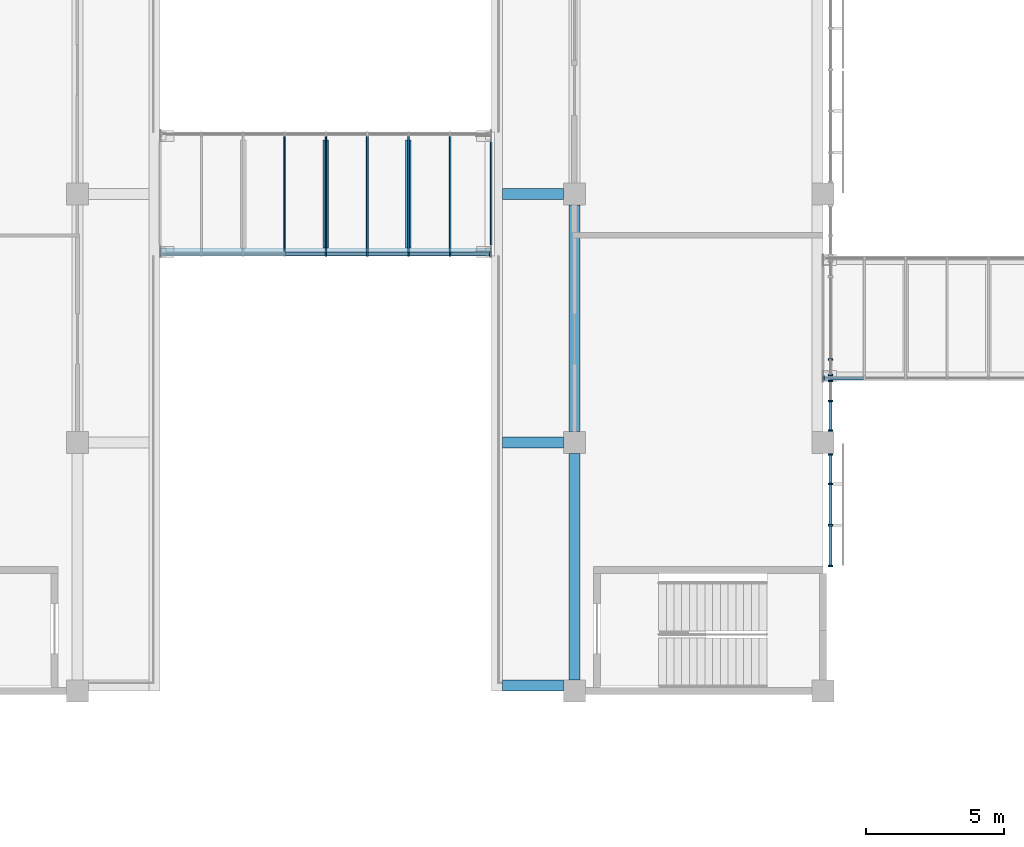
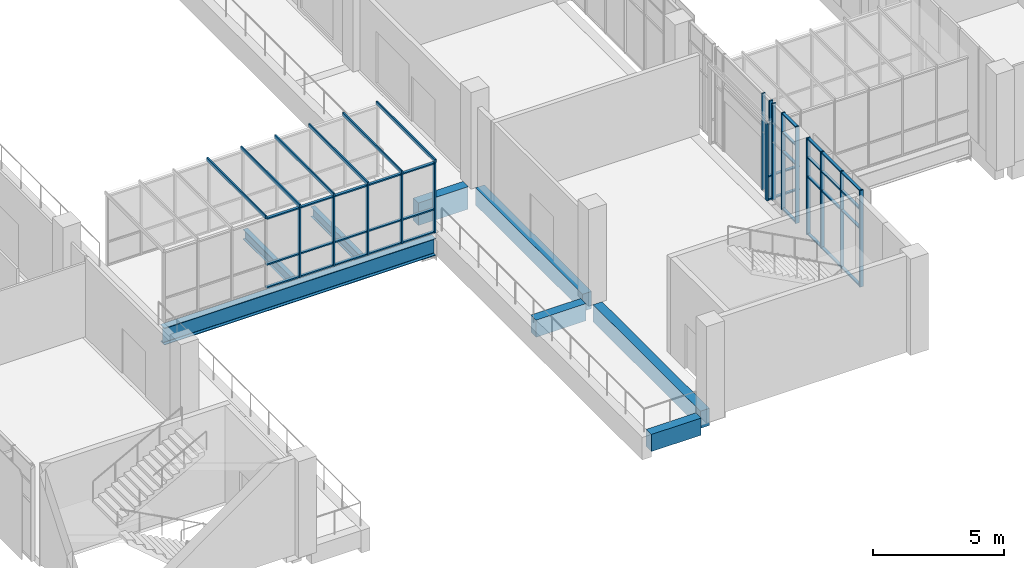
# One storey, part 9 of 88: 54 members, 8 beams, 6 elements without a shape of their own.
"""IFC4 building model written with IfcOpenShell, lengths in metres."""

from ifc_helpers import new_model, si_unit, direction, frame, origin, origin_2d, place, context, subcontext, project, spatial, rectangle, i_section, extrude, material, layer, layer_set, material_profile, profile_set, type_object, element, aggregate, save


model = new_model("IFC4")

# Units and contexts
model_context = context("Model", 3, precision=1e-05, world=origin(), true_north=direction((0.0, 1.0)))
body_context = subcontext(model_context, "Body", "Model", "MODEL_VIEW")
ifc_project = project(units=[si_unit("LENGTHUNIT", "METRE"), si_unit("AREAUNIT", "SQUARE_METRE"), si_unit("VOLUMEUNIT", "CUBIC_METRE"), si_unit("PLANEANGLEUNIT", "RADIAN"), si_unit("MASSUNIT", "GRAM", prefix="KILO")], contexts=[model_context])

# Site, building, storey
site_placement = place(None, origin())
site = spatial("IfcSite", under=ifc_project, at=site_placement, CompositionType="ELEMENT")
building_placement = place(site_placement, origin())
building = spatial("IfcBuilding", under=site, at=building_placement, Name="Guidao Yard Department Store", CompositionType="ELEMENT")
storey_placement = place(building_placement, frame((0.0, 0.0, 6.0)))
storey = spatial("IfcBuildingStorey", under=building, at=storey_placement, Name="L01", CompositionType="ELEMENT", Elevation=6.0)

# Beams
ifc_material_1 = material(Name="Concrete C40", Category="concrete")
ifc_material_profile_1 = material_profile(ifc_material_1, rectangle(XDim=0.39990234375, YDim=1.050048828125, at=origin_2d()), Name="Bridge landing beam 400 x 1050 C40")
ifc_profile_set_1 = profile_set([ifc_material_profile_1], Name="Concrete C40")
beam_type_1 = type_object("IfcBeamType", Name="Bridge landing beam 400 x 1050 C40", PredefinedType="BEAM", material=ifc_profile_set_1)
beam_1_placement = place(storey_placement, frame((96.39990234375, 63.0, -0.52490234375), z_axis=(1.0, 0.0, 0.0), x_axis=(0.0, 1.0, 0.0)))
element("IfcBeam", 1, at=beam_1_placement, inside=storey, type_object=beam_type_1, Name="Beam LB10", PredefinedType="BEAM", context=body_context, shape_type="SweptSolid", body=[
    extrude(rectangle(XDim=0.39990234375, YDim=1.050048828125, at=origin_2d()), origin(), (0.0, 0.0, 1.0), 2.2001953125),
])
ifc_material_2 = material(Name="Concrete C40", Category="concrete")
ifc_material_profile_2 = material_profile(ifc_material_2, rectangle(XDim=0.39990234375, YDim=0.800048828125, at=origin_2d()), Name="Edge beam 400 x 800 C40")
ifc_profile_set_2 = profile_set([ifc_material_profile_2], Name="Concrete C40")
beam_type_2 = type_object("IfcBeamType", Name="Edge beam 400 x 800 C40", PredefinedType="BEAM", material=ifc_profile_set_2)
for number, where, z_axis, x_axis, name in (
    (2, (99.0, 45.39990234375, -0.39990234375), (0.0, 1.0, 0.0), (-1.0, 0.0, 0.0), "Beam EB48"),
    (3, (99.0, 54.39990234375, -0.39990234375), (0.0, 1.0, 0.0), (-1.0, 0.0, 0.0), "Beam EB49"),
):
    element("IfcBeam", number, at=place(storey_placement, frame(where, z_axis=z_axis, x_axis=x_axis)), inside=storey, type_object=beam_type_2, Name=name, PredefinedType="BEAM", context=body_context, shape_type="SweptSolid", body=[
        extrude(rectangle(XDim=0.39990234375, YDim=0.800048828125, at=origin_2d()), origin(), (0.0, 0.0, 1.0), 8.2001953125),
    ])
for number, where, z_axis, x_axis, name in (
    (4, (96.39990234375, 45.199951171875, -0.39990234375), (1.0, 0.0, 0.0), (0.0, 1.0, 0.0), "Beam EB55"),
    (5, (96.39990234375, 54.0, -0.39990234375), (1.0, 0.0, 0.0), (0.0, 1.0, 0.0), "Beam EB56"),
):
    element("IfcBeam", number, at=place(storey_placement, frame(where, z_axis=z_axis, x_axis=x_axis)), inside=storey, type_object=beam_type_2, Name=name, PredefinedType="BEAM", context=body_context, shape_type="SweptSolid", body=[
        extrude(rectangle(XDim=0.39990234375, YDim=0.800048828125, at=origin_2d()), origin(), (0.0, 0.0, 1.0), 2.2001953125),
    ])
ifc_material_3 = material(Name="Steel Q355B", Category="steel")
ifc_material_profile_3 = material_profile(ifc_material_3, i_section(OverallWidth=0.199951171875, OverallDepth=0.449951171875, WebThickness=0.009033203125, FlangeThickness=0.013916015625, FilletRadius=0.012939453125, at=origin_2d()), Name="HN 450x200x9x14")
ifc_profile_set_3 = profile_set([ifc_material_profile_3], Name="Steel Q355B")
beam_type_3 = type_object("IfcBeamType", Name="HN 450x200x9x14", PredefinedType="BEAM", material=ifc_profile_set_3)
for number, where, z_axis, x_axis, name in (
    (6, (90.0, 61.050048828125, -0.47509765625), (0.0, 1.0, 0.0), (-1.0, 0.0, 0.0), "Bridge cross beam BR09-2"),
    (7, (92.992431640625, 61.050048828125, -0.47509765625), (0.0, 1.0, 0.0), (-1.0, 0.0, 0.0), "Bridge cross beam BR09-3"),
):
    element("IfcBeam", number, at=place(storey_placement, frame(where, z_axis=z_axis, x_axis=x_axis)), inside=storey, type_object=beam_type_3, Name=name, PredefinedType="BEAM", context=body_context, shape_type="SweptSolid", body=[
        extrude(i_section(OverallWidth=0.199951171875, OverallDepth=0.449951171875, WebThickness=0.009033203125, FlangeThickness=0.013916015625, FilletRadius=0.012939453125, at=origin_2d()), origin(), (0.0, 0.0, 1.0), 3.89990234375),
    ])
ifc_material_4 = material(Name="Steel Q355B", Category="steel")
ifc_material_profile_4 = material_profile(ifc_material_4, i_section(OverallWidth=0.300048828125, OverallDepth=0.800048828125, WebThickness=0.013916015625, FlangeThickness=0.02587890625, FilletRadius=0.01806640625, at=origin_2d()), Name="HN 800x300x14x26")
ifc_profile_set_4 = profile_set([ifc_material_profile_4], Name="Steel Q355B")
beam_type_4 = type_object("IfcBeamType", Name="HN 800x300x14x26", PredefinedType="BEAM", material=ifc_profile_set_4)
beam_2_placement = place(storey_placement, frame((84.014892578125, 60.89990234375, -0.64990234375), z_axis=(1.0, 0.0, 0.0), x_axis=(0.0, 1.0, 0.0)))
element("IfcBeam", 8, at=beam_2_placement, inside=storey, type_object=beam_type_4, Name="Bridge girder BR09S", PredefinedType="BEAM", context=body_context, shape_type="SweptSolid", body=[
    extrude(i_section(OverallWidth=0.300048828125, OverallDepth=0.800048828125, WebThickness=0.013916015625, FlangeThickness=0.02587890625, FilletRadius=0.01806640625, at=origin_2d()), origin(), (0.0, 0.0, 1.0), 11.97021484375),
])

# Curtain wall, members
ifc_material_5 = material(Name="Aluminium and glass", Category="aluminium")
ifc_layer_1 = layer(ifc_material_5, 0.159912109375)
ifc_layer_set_1 = layer_set([ifc_layer_1], Name="Shopfront curtain wall CW1 1500 module")
curtain_wall_type_1 = type_object("IfcCurtainWallType", Name="Shopfront curtain wall CW1 1500 module", PredefinedType="NOTDEFINED", material=ifc_layer_set_1)
curtain_wall_1_placement = place(storey_placement, origin())
curtain_wall_1 = element("IfcCurtainWall", 9, at=curtain_wall_1_placement, inside=storey, type_object=curtain_wall_type_1, Name="Arcade shop front", PredefinedType="NOTDEFINED")
ifc_material_6 = material(Name="Aluminium 6063-T5", Category="aluminium")
ifc_material_profile_5 = material_profile(ifc_material_6, rectangle(XDim=0.06005859375, YDim=0.159912109375, at=origin_2d()), Name="Mullion M1 60 x 160 aluminium pressure plate")
ifc_profile_set_5 = profile_set([ifc_material_profile_5], Name="Aluminium 6063-T5")
member_type_1 = type_object("IfcMemberType", Name="Mullion M1 60 x 160 aluminium pressure plate", PredefinedType="MULLION", material=ifc_profile_set_5)
member_1_placement = place(storey_placement, frame((108.280029296875, 49.530029296875, 0.0), z_axis=(0.0, 0.0, 1.0), x_axis=(0.0, -1.0, 0.0)))
member_1 = element("IfcMember", 10, at=member_1_placement, type_object=member_type_1, Name="CW-AS-L01-12 mullion 1", PredefinedType="MULLION", context=body_context, shape_type="SweptSolid", body=[
    extrude(rectangle(XDim=0.06005859375, YDim=0.159912109375, at=origin_2d()), origin(), (0.0, 0.0, 1.0), 4.5),
])
member_2_placement = place(storey_placement, frame((108.280029296875, 51.0, 0.0), z_axis=(0.0, 0.0, 1.0), x_axis=(0.0, -1.0, 0.0)))
member_2 = element("IfcMember", 11, at=member_2_placement, type_object=member_type_1, Name="CW-AS-L01-12 mullion 2", PredefinedType="MULLION", context=body_context, shape_type="SweptSolid", body=[
    extrude(rectangle(XDim=0.06005859375, YDim=0.159912109375, at=origin_2d()), origin(), (0.0, 0.0, 1.0), 4.5),
])
member_3_placement = place(storey_placement, frame((108.280029296875, 52.5, 0.0), z_axis=(0.0, 0.0, 1.0), x_axis=(0.0, -1.0, 0.0)))
member_3 = element("IfcMember", 12, at=member_3_placement, type_object=member_type_1, Name="CW-AS-L01-12 mullion 3", PredefinedType="MULLION", context=body_context, shape_type="SweptSolid", body=[
    extrude(rectangle(XDim=0.06005859375, YDim=0.159912109375, at=origin_2d()), origin(), (0.0, 0.0, 1.0), 4.5),
])
member_4_placement = place(storey_placement, frame((108.280029296875, 53.570068359375, 0.0), z_axis=(0.0, 0.0, 1.0), x_axis=(0.0, -1.0, 0.0)))
member_4 = element("IfcMember", 13, at=member_4_placement, type_object=member_type_1, Name="CW-AS-L01-12 mullion 4", PredefinedType="MULLION", context=body_context, shape_type="SweptSolid", body=[
    extrude(rectangle(XDim=0.06005859375, YDim=0.159912109375, at=origin_2d()), origin(), (0.0, 0.0, 1.0), 4.5),
])

curtain_wall_2_placement = place(storey_placement, origin())
curtain_wall_2 = element("IfcCurtainWall", 14, at=curtain_wall_2_placement, inside=storey, type_object=curtain_wall_type_1, Name="Arcade shop front", PredefinedType="NOTDEFINED")
member_5_placement = place(storey_placement, frame((108.280029296875, 54.429931640625, 0.0), z_axis=(0.0, 0.0, 1.0), x_axis=(0.0, -1.0, 0.0)))
member_5 = element("IfcMember", 15, at=member_5_placement, type_object=member_type_1, Name="CW-AS-L01-13 mullion 1", PredefinedType="MULLION", context=body_context, shape_type="SweptSolid", body=[
    extrude(rectangle(XDim=0.06005859375, YDim=0.159912109375, at=origin_2d()), origin(), (0.0, 0.0, 1.0), 4.5),
])
member_6_placement = place(storey_placement, frame((108.280029296875, 55.5, 0.0), z_axis=(0.0, 0.0, 1.0), x_axis=(0.0, -1.0, 0.0)))
member_6 = element("IfcMember", 16, at=member_6_placement, type_object=member_type_1, Name="CW-AS-L01-13 mullion 2", PredefinedType="MULLION", context=body_context, shape_type="SweptSolid", body=[
    extrude(rectangle(XDim=0.06005859375, YDim=0.159912109375, at=origin_2d()), origin(), (0.0, 0.0, 1.0), 4.5),
])
member_7_placement = place(storey_placement, frame((108.280029296875, 56.219970703125, 0.0), z_axis=(0.0, 0.0, 1.0), x_axis=(0.0, -1.0, 0.0)))
member_7 = element("IfcMember", 17, at=member_7_placement, type_object=member_type_1, Name="CW-AS-L01-13 mullion 3", PredefinedType="MULLION", context=body_context, shape_type="SweptSolid", body=[
    extrude(rectangle(XDim=0.06005859375, YDim=0.159912109375, at=origin_2d()), origin(), (0.0, 0.0, 1.0), 4.5),
])

curtain_wall_3_placement = place(storey_placement, origin())
curtain_wall_3 = element("IfcCurtainWall", 18, at=curtain_wall_3_placement, inside=storey, type_object=curtain_wall_type_1, Name="Arcade shop front", PredefinedType="NOTDEFINED")
member_8_placement = place(storey_placement, frame((108.280029296875, 56.43994140625, 0.0), z_axis=(0.0, 0.0, 1.0), x_axis=(0.0, -1.0, 0.0)))
member_8 = element("IfcMember", 19, at=member_8_placement, type_object=member_type_1, Name="CW-AS-L01-14 mullion 1", PredefinedType="MULLION", context=body_context, shape_type="SweptSolid", body=[
    extrude(rectangle(XDim=0.06005859375, YDim=0.159912109375, at=origin_2d()), origin(), (0.0, 0.0, 1.0), 4.5),
])
member_9_placement = place(storey_placement, frame((108.280029296875, 57.0, 0.0), z_axis=(0.0, 0.0, 1.0), x_axis=(0.0, -1.0, 0.0)))
member_9 = element("IfcMember", 20, at=member_9_placement, type_object=member_type_1, Name="CW-AS-L01-14 mullion 2", PredefinedType="MULLION", context=body_context, shape_type="SweptSolid", body=[
    extrude(rectangle(XDim=0.06005859375, YDim=0.159912109375, at=origin_2d()), origin(), (0.0, 0.0, 1.0), 4.5),
])
aggregate(curtain_wall_3, [member_8, member_9])

# Curtain wall, member
ifc_material_7 = material(Name="Aluminium and glass", Category="aluminium")
ifc_layer_2 = layer(ifc_material_7, 0.159912109375)
ifc_layer_set_2 = layer_set([ifc_layer_2], Name="Bridge glazing CW5 1500 module")
curtain_wall_type_2 = type_object("IfcCurtainWallType", Name="Bridge glazing CW5 1500 module", PredefinedType="NOTDEFINED", material=ifc_layer_set_2)
curtain_wall_4_placement = place(storey_placement, origin())
curtain_wall_4 = element("IfcCurtainWall", 21, at=curtain_wall_4_placement, inside=storey, type_object=curtain_wall_type_2, Name="Bridge glazing BR06 S", PredefinedType="NOTDEFINED")
member_10_placement = place(storey_placement, frame((108.030029296875, 56.330078125, 0.0), z_axis=(0.0, 0.0, 1.0), x_axis=(-1.0, 0.0, 0.0)))
member_10 = element("IfcMember", 22, at=member_10_placement, type_object=member_type_1, Name="CW-S-L01-05 mullion 1", PredefinedType="MULLION", context=body_context, shape_type="SweptSolid", body=[
    extrude(rectangle(XDim=0.06005859375, YDim=0.159912109375, at=origin_2d()), origin(), (0.0, 0.0, 1.0), 3.60009765625),
])

# Curtain wall, members
curtain_wall_5_placement = place(storey_placement, origin())
curtain_wall_5 = element("IfcCurtainWall", 23, at=curtain_wall_5_placement, inside=storey, type_object=curtain_wall_type_2, Name="Bridge glazing BR09 S", PredefinedType="NOTDEFINED")
member_11_placement = place(storey_placement, frame((90.0, 60.830078125, 0.0), z_axis=(0.0, 0.0, 1.0), x_axis=(-1.0, 0.0, 0.0)))
member_11 = element("IfcMember", 24, at=member_11_placement, type_object=member_type_1, Name="CW-S-L01-09 mullion 5", PredefinedType="MULLION", context=body_context, shape_type="SweptSolid", body=[
    extrude(rectangle(XDim=0.06005859375, YDim=0.159912109375, at=origin_2d()), origin(), (0.0, 0.0, 1.0), 3.27001953125),
])
member_12_placement = place(storey_placement, frame((91.5, 60.830078125, 0.0), z_axis=(0.0, 0.0, 1.0), x_axis=(-1.0, 0.0, 0.0)))
member_12 = element("IfcMember", 25, at=member_12_placement, type_object=member_type_1, Name="CW-S-L01-09 mullion 6", PredefinedType="MULLION", context=body_context, shape_type="SweptSolid", body=[
    extrude(rectangle(XDim=0.06005859375, YDim=0.159912109375, at=origin_2d()), origin(), (0.0, 0.0, 1.0), 3.27001953125),
])
member_13_placement = place(storey_placement, frame((93.0, 60.830078125, 0.0), z_axis=(0.0, 0.0, 1.0), x_axis=(-1.0, 0.0, 0.0)))
member_13 = element("IfcMember", 26, at=member_13_placement, type_object=member_type_1, Name="CW-S-L01-09 mullion 7", PredefinedType="MULLION", context=body_context, shape_type="SweptSolid", body=[
    extrude(rectangle(XDim=0.06005859375, YDim=0.159912109375, at=origin_2d()), origin(), (0.0, 0.0, 1.0), 3.27001953125),
])
member_14_placement = place(storey_placement, frame((94.5, 60.830078125, 0.0), z_axis=(0.0, 0.0, 1.0), x_axis=(-1.0, 0.0, 0.0)))
member_14 = element("IfcMember", 27, at=member_14_placement, type_object=member_type_1, Name="CW-S-L01-09 mullion 8", PredefinedType="MULLION", context=body_context, shape_type="SweptSolid", body=[
    extrude(rectangle(XDim=0.06005859375, YDim=0.159912109375, at=origin_2d()), origin(), (0.0, 0.0, 1.0), 3.27001953125),
])
member_15_placement = place(storey_placement, frame((95.955078125, 60.830078125, 0.0), z_axis=(0.0, 0.0, 1.0), x_axis=(-1.0, 0.0, 0.0)))
member_15 = element("IfcMember", 28, at=member_15_placement, type_object=member_type_1, Name="CW-S-L01-09 mullion 9", PredefinedType="MULLION", context=body_context, shape_type="SweptSolid", body=[
    extrude(rectangle(XDim=0.06005859375, YDim=0.159912109375, at=origin_2d()), origin(), (0.0, 0.0, 1.0), 3.27001953125),
])

curtain_wall_6_placement = place(storey_placement, origin())
curtain_wall_6 = element("IfcCurtainWall", 29, at=curtain_wall_6_placement, inside=storey, type_object=curtain_wall_type_2, Name="Bridge roof glazing BR09", PredefinedType="NOTDEFINED")
ifc_material_8 = material(Name="Aluminium 6063-T5", Category="aluminium")
ifc_material_profile_6 = material_profile(ifc_material_8, rectangle(XDim=0.06005859375, YDim=0.159912109375, at=origin_2d()), Name="Roof bar RB1 60 x 160 aluminium")
ifc_profile_set_6 = profile_set([ifc_material_profile_6], Name="Aluminium 6063-T5")
member_type_2 = type_object("IfcMemberType", Name="Roof bar RB1 60 x 160 aluminium", PredefinedType="USERDEFINED", material=ifc_profile_set_6)
member_16_placement = place(storey_placement, frame((88.5, 60.75, 3.35009765625), z_axis=(0.0, 1.0, 0.0), x_axis=(-1.0, 0.0, 0.0)))
member_16 = element("IfcMember", 30, at=member_16_placement, type_object=member_type_2, Name="Bridge roof bar BR09", ObjectType="TRANSOM", PredefinedType="USERDEFINED", context=body_context, shape_type="SweptSolid", body=[
    extrude(rectangle(XDim=0.06005859375, YDim=0.159912109375, at=origin_2d()), origin(), (0.0, 0.0, 1.0), 4.5),
])
member_17_placement = place(storey_placement, frame((90.0, 60.75, 3.35009765625), z_axis=(0.0, 1.0, 0.0), x_axis=(-1.0, 0.0, 0.0)))
member_17 = element("IfcMember", 31, at=member_17_placement, type_object=member_type_2, Name="Bridge roof bar BR09", ObjectType="TRANSOM", PredefinedType="USERDEFINED", context=body_context, shape_type="SweptSolid", body=[
    extrude(rectangle(XDim=0.06005859375, YDim=0.159912109375, at=origin_2d()), origin(), (0.0, 0.0, 1.0), 4.5),
])
member_18_placement = place(storey_placement, frame((91.5, 60.75, 3.35009765625), z_axis=(0.0, 1.0, 0.0), x_axis=(-1.0, 0.0, 0.0)))
member_18 = element("IfcMember", 32, at=member_18_placement, type_object=member_type_2, Name="Bridge roof bar BR09", ObjectType="TRANSOM", PredefinedType="USERDEFINED", context=body_context, shape_type="SweptSolid", body=[
    extrude(rectangle(XDim=0.06005859375, YDim=0.159912109375, at=origin_2d()), origin(), (0.0, 0.0, 1.0), 4.5),
])
member_19_placement = place(storey_placement, frame((93.0, 60.75, 3.35009765625), z_axis=(0.0, 1.0, 0.0), x_axis=(-1.0, 0.0, 0.0)))
member_19 = element("IfcMember", 33, at=member_19_placement, type_object=member_type_2, Name="Bridge roof bar BR09", ObjectType="TRANSOM", PredefinedType="USERDEFINED", context=body_context, shape_type="SweptSolid", body=[
    extrude(rectangle(XDim=0.06005859375, YDim=0.159912109375, at=origin_2d()), origin(), (0.0, 0.0, 1.0), 4.5),
])
member_20_placement = place(storey_placement, frame((94.5, 60.75, 3.35009765625), z_axis=(0.0, 1.0, 0.0), x_axis=(-1.0, 0.0, 0.0)))
member_20 = element("IfcMember", 34, at=member_20_placement, type_object=member_type_2, Name="Bridge roof bar BR09", ObjectType="TRANSOM", PredefinedType="USERDEFINED", context=body_context, shape_type="SweptSolid", body=[
    extrude(rectangle(XDim=0.06005859375, YDim=0.159912109375, at=origin_2d()), origin(), (0.0, 0.0, 1.0), 4.5),
])
member_21_placement = place(storey_placement, frame((95.985107421875, 60.75, 3.35009765625), z_axis=(0.0, 1.0, 0.0), x_axis=(-1.0, 0.0, 0.0)))
member_21 = element("IfcMember", 35, at=member_21_placement, type_object=member_type_2, Name="Bridge roof bar BR09", ObjectType="TRANSOM", PredefinedType="USERDEFINED", context=body_context, shape_type="SweptSolid", body=[
    extrude(rectangle(XDim=0.06005859375, YDim=0.159912109375, at=origin_2d()), origin(), (0.0, 0.0, 1.0), 4.5),
])
aggregate(curtain_wall_6, [member_16, member_17, member_18, member_19, member_20, member_21])

# Member
ifc_material_9 = material(Name="Aluminium 6063-T5", Category="aluminium")
ifc_material_profile_7 = material_profile(ifc_material_9, rectangle(XDim=0.1201171875, YDim=0.06005859375, at=origin_2d()), Name="Transom T1 60 x 120 aluminium pressure plate")
ifc_profile_set_7 = profile_set([ifc_material_profile_7], Name="Aluminium 6063-T5")
member_type_3 = type_object("IfcMemberType", Name="Transom T1 60 x 120 aluminium pressure plate", PredefinedType="USERDEFINED", material=ifc_profile_set_7)
member_22_placement = place(storey_placement, frame((108.280029296875, 50.969970703125, 0.030029296875), z_axis=(0.0, -1.0, 0.0), x_axis=(1.0, 0.0, 0.0)))
member_22 = element("IfcMember", 36, at=member_22_placement, type_object=member_type_3, Name="CW-AS-L01-12 transom 1.1", ObjectType="TRANSOM", PredefinedType="USERDEFINED", context=body_context, shape_type="SweptSolid", body=[
    extrude(rectangle(XDim=0.1201171875, YDim=0.06005859375, at=origin_2d()), origin(), (0.0, 0.0, 1.0), 1.409912109375),
])

member_23_placement = place(storey_placement, frame((108.280029296875, 50.969970703125, 2.699951171875), z_axis=(0.0, -1.0, 0.0), x_axis=(1.0, 0.0, 0.0)))
member_23 = element("IfcMember", 37, at=member_23_placement, type_object=member_type_3, Name="CW-AS-L01-12 transom 1.2", ObjectType="TRANSOM", PredefinedType="USERDEFINED", context=body_context, shape_type="SweptSolid", body=[
    extrude(rectangle(XDim=0.1201171875, YDim=0.06005859375, at=origin_2d()), origin(), (0.0, 0.0, 1.0), 1.409912109375),
])

member_24_placement = place(storey_placement, frame((108.280029296875, 50.969970703125, 3.60009765625), z_axis=(0.0, -1.0, 0.0), x_axis=(1.0, 0.0, 0.0)))
member_24 = element("IfcMember", 38, at=member_24_placement, type_object=member_type_3, Name="CW-AS-L01-12 transom 1.3", ObjectType="TRANSOM", PredefinedType="USERDEFINED", context=body_context, shape_type="SweptSolid", body=[
    extrude(rectangle(XDim=0.1201171875, YDim=0.06005859375, at=origin_2d()), origin(), (0.0, 0.0, 1.0), 1.409912109375),
])

member_25_placement = place(storey_placement, frame((108.280029296875, 50.969970703125, 4.469970703125), z_axis=(0.0, -1.0, 0.0), x_axis=(1.0, 0.0, 0.0)))
member_25 = element("IfcMember", 39, at=member_25_placement, type_object=member_type_3, Name="CW-AS-L01-12 transom 1.4", ObjectType="TRANSOM", PredefinedType="USERDEFINED", context=body_context, shape_type="SweptSolid", body=[
    extrude(rectangle(XDim=0.1201171875, YDim=0.06005859375, at=origin_2d()), origin(), (0.0, 0.0, 1.0), 1.409912109375),
])

member_26_placement = place(storey_placement, frame((108.280029296875, 52.469970703125, 0.030029296875), z_axis=(0.0, -1.0, 0.0), x_axis=(1.0, 0.0, 0.0)))
member_26 = element("IfcMember", 40, at=member_26_placement, type_object=member_type_3, Name="CW-AS-L01-12 transom 2.1", ObjectType="TRANSOM", PredefinedType="USERDEFINED", context=body_context, shape_type="SweptSolid", body=[
    extrude(rectangle(XDim=0.1201171875, YDim=0.06005859375, at=origin_2d()), origin(), (0.0, 0.0, 1.0), 1.43994140625),
])

member_27_placement = place(storey_placement, frame((108.280029296875, 52.469970703125, 2.699951171875), z_axis=(0.0, -1.0, 0.0), x_axis=(1.0, 0.0, 0.0)))
member_27 = element("IfcMember", 41, at=member_27_placement, type_object=member_type_3, Name="CW-AS-L01-12 transom 2.2", ObjectType="TRANSOM", PredefinedType="USERDEFINED", context=body_context, shape_type="SweptSolid", body=[
    extrude(rectangle(XDim=0.1201171875, YDim=0.06005859375, at=origin_2d()), origin(), (0.0, 0.0, 1.0), 1.43994140625),
])

member_28_placement = place(storey_placement, frame((108.280029296875, 52.469970703125, 3.60009765625), z_axis=(0.0, -1.0, 0.0), x_axis=(1.0, 0.0, 0.0)))
member_28 = element("IfcMember", 42, at=member_28_placement, type_object=member_type_3, Name="CW-AS-L01-12 transom 2.3", ObjectType="TRANSOM", PredefinedType="USERDEFINED", context=body_context, shape_type="SweptSolid", body=[
    extrude(rectangle(XDim=0.1201171875, YDim=0.06005859375, at=origin_2d()), origin(), (0.0, 0.0, 1.0), 1.43994140625),
])

member_29_placement = place(storey_placement, frame((108.280029296875, 52.469970703125, 4.469970703125), z_axis=(0.0, -1.0, 0.0), x_axis=(1.0, 0.0, 0.0)))
member_29 = element("IfcMember", 43, at=member_29_placement, type_object=member_type_3, Name="CW-AS-L01-12 transom 2.4", ObjectType="TRANSOM", PredefinedType="USERDEFINED", context=body_context, shape_type="SweptSolid", body=[
    extrude(rectangle(XDim=0.1201171875, YDim=0.06005859375, at=origin_2d()), origin(), (0.0, 0.0, 1.0), 1.43994140625),
])

member_30_placement = place(storey_placement, frame((108.280029296875, 53.5400390625, 0.030029296875), z_axis=(0.0, -1.0, 0.0), x_axis=(1.0, 0.0, 0.0)))
member_30 = element("IfcMember", 44, at=member_30_placement, type_object=member_type_3, Name="CW-AS-L01-12 transom 3.1", ObjectType="TRANSOM", PredefinedType="USERDEFINED", context=body_context, shape_type="SweptSolid", body=[
    extrude(rectangle(XDim=0.1201171875, YDim=0.06005859375, at=origin_2d()), origin(), (0.0, 0.0, 1.0), 1.010009765625),
])

member_31_placement = place(storey_placement, frame((108.280029296875, 53.5400390625, 2.699951171875), z_axis=(0.0, -1.0, 0.0), x_axis=(1.0, 0.0, 0.0)))
member_31 = element("IfcMember", 45, at=member_31_placement, type_object=member_type_3, Name="CW-AS-L01-12 transom 3.2", ObjectType="TRANSOM", PredefinedType="USERDEFINED", context=body_context, shape_type="SweptSolid", body=[
    extrude(rectangle(XDim=0.1201171875, YDim=0.06005859375, at=origin_2d()), origin(), (0.0, 0.0, 1.0), 1.010009765625),
])

member_32_placement = place(storey_placement, frame((108.280029296875, 53.5400390625, 3.60009765625), z_axis=(0.0, -1.0, 0.0), x_axis=(1.0, 0.0, 0.0)))
member_32 = element("IfcMember", 46, at=member_32_placement, type_object=member_type_3, Name="CW-AS-L01-12 transom 3.3", ObjectType="TRANSOM", PredefinedType="USERDEFINED", context=body_context, shape_type="SweptSolid", body=[
    extrude(rectangle(XDim=0.1201171875, YDim=0.06005859375, at=origin_2d()), origin(), (0.0, 0.0, 1.0), 1.010009765625),
])

member_33_placement = place(storey_placement, frame((108.280029296875, 53.5400390625, 4.469970703125), z_axis=(0.0, -1.0, 0.0), x_axis=(1.0, 0.0, 0.0)))
member_33 = element("IfcMember", 47, at=member_33_placement, type_object=member_type_3, Name="CW-AS-L01-12 transom 3.4", ObjectType="TRANSOM", PredefinedType="USERDEFINED", context=body_context, shape_type="SweptSolid", body=[
    extrude(rectangle(XDim=0.1201171875, YDim=0.06005859375, at=origin_2d()), origin(), (0.0, 0.0, 1.0), 1.010009765625),
])

aggregate(curtain_wall_1, [member_1, member_2, member_3, member_4, member_22, member_23, member_24, member_25, member_26, member_27, member_28, member_29, member_30, member_31, member_32, member_33])

member_34_placement = place(storey_placement, frame((108.280029296875, 55.469970703125, 0.030029296875), z_axis=(0.0, -1.0, 0.0), x_axis=(1.0, 0.0, 0.0)))
member_34 = element("IfcMember", 48, at=member_34_placement, type_object=member_type_3, Name="CW-AS-L01-13 transom 1.1", ObjectType="TRANSOM", PredefinedType="USERDEFINED", context=body_context, shape_type="SweptSolid", body=[
    extrude(rectangle(XDim=0.1201171875, YDim=0.06005859375, at=origin_2d()), origin(), (0.0, 0.0, 1.0), 1.010009765625),
])

member_35_placement = place(storey_placement, frame((108.280029296875, 55.469970703125, 2.699951171875), z_axis=(0.0, -1.0, 0.0), x_axis=(1.0, 0.0, 0.0)))
member_35 = element("IfcMember", 49, at=member_35_placement, type_object=member_type_3, Name="CW-AS-L01-13 transom 1.2", ObjectType="TRANSOM", PredefinedType="USERDEFINED", context=body_context, shape_type="SweptSolid", body=[
    extrude(rectangle(XDim=0.1201171875, YDim=0.06005859375, at=origin_2d()), origin(), (0.0, 0.0, 1.0), 1.010009765625),
])

member_36_placement = place(storey_placement, frame((108.280029296875, 55.469970703125, 3.60009765625), z_axis=(0.0, -1.0, 0.0), x_axis=(1.0, 0.0, 0.0)))
member_36 = element("IfcMember", 50, at=member_36_placement, type_object=member_type_3, Name="CW-AS-L01-13 transom 1.3", ObjectType="TRANSOM", PredefinedType="USERDEFINED", context=body_context, shape_type="SweptSolid", body=[
    extrude(rectangle(XDim=0.1201171875, YDim=0.06005859375, at=origin_2d()), origin(), (0.0, 0.0, 1.0), 1.010009765625),
])

member_37_placement = place(storey_placement, frame((108.280029296875, 55.469970703125, 4.469970703125), z_axis=(0.0, -1.0, 0.0), x_axis=(1.0, 0.0, 0.0)))
member_37 = element("IfcMember", 51, at=member_37_placement, type_object=member_type_3, Name="CW-AS-L01-13 transom 1.4", ObjectType="TRANSOM", PredefinedType="USERDEFINED", context=body_context, shape_type="SweptSolid", body=[
    extrude(rectangle(XDim=0.1201171875, YDim=0.06005859375, at=origin_2d()), origin(), (0.0, 0.0, 1.0), 1.010009765625),
])

aggregate(curtain_wall_2, [member_5, member_6, member_7, member_34, member_35, member_36, member_37])

member_38_placement = place(storey_placement, frame((109.469970703125, 56.330078125, 0.030029296875), z_axis=(-1.0, 0.0, 0.0), x_axis=(0.0, -1.0, 0.0)))
member_38 = element("IfcMember", 52, at=member_38_placement, type_object=member_type_3, Name="CW-S-L01-05 transom 1.1", ObjectType="TRANSOM", PredefinedType="USERDEFINED", context=body_context, shape_type="SweptSolid", body=[
    extrude(rectangle(XDim=0.1201171875, YDim=0.06005859375, at=origin_2d()), origin(), (0.0, 0.0, 1.0), 1.409912109375),
])

member_39_placement = place(storey_placement, frame((109.469970703125, 56.330078125, 1.10009765625), z_axis=(-1.0, 0.0, 0.0), x_axis=(0.0, -1.0, 0.0)))
member_39 = element("IfcMember", 53, at=member_39_placement, type_object=member_type_3, Name="CW-S-L01-05 transom 1.2", ObjectType="TRANSOM", PredefinedType="USERDEFINED", context=body_context, shape_type="SweptSolid", body=[
    extrude(rectangle(XDim=0.1201171875, YDim=0.06005859375, at=origin_2d()), origin(), (0.0, 0.0, 1.0), 1.409912109375),
])

aggregate(curtain_wall_4, [member_10, member_38, member_39])

member_40_placement = place(storey_placement, frame((89.969970703125, 60.830078125, 0.030029296875), z_axis=(-1.0, 0.0, 0.0), x_axis=(0.0, -1.0, 0.0)))
member_40 = element("IfcMember", 54, at=member_40_placement, type_object=member_type_3, Name="CW-S-L01-09 transom 4.1", ObjectType="TRANSOM", PredefinedType="USERDEFINED", context=body_context, shape_type="SweptSolid", body=[
    extrude(rectangle(XDim=0.1201171875, YDim=0.06005859375, at=origin_2d()), origin(), (0.0, 0.0, 1.0), 1.43994140625),
])

member_41_placement = place(storey_placement, frame((89.969970703125, 60.830078125, 1.10009765625), z_axis=(-1.0, 0.0, 0.0), x_axis=(0.0, -1.0, 0.0)))
member_41 = element("IfcMember", 55, at=member_41_placement, type_object=member_type_3, Name="CW-S-L01-09 transom 4.2", ObjectType="TRANSOM", PredefinedType="USERDEFINED", context=body_context, shape_type="SweptSolid", body=[
    extrude(rectangle(XDim=0.1201171875, YDim=0.06005859375, at=origin_2d()), origin(), (0.0, 0.0, 1.0), 1.43994140625),
])

member_42_placement = place(storey_placement, frame((89.969970703125, 60.830078125, 3.239990234375), z_axis=(-1.0, 0.0, 0.0), x_axis=(0.0, -1.0, 0.0)))
member_42 = element("IfcMember", 56, at=member_42_placement, type_object=member_type_3, Name="CW-S-L01-09 transom 4.3", ObjectType="TRANSOM", PredefinedType="USERDEFINED", context=body_context, shape_type="SweptSolid", body=[
    extrude(rectangle(XDim=0.1201171875, YDim=0.06005859375, at=origin_2d()), origin(), (0.0, 0.0, 1.0), 1.43994140625),
])

member_43_placement = place(storey_placement, frame((91.469970703125, 60.830078125, 0.030029296875), z_axis=(-1.0, 0.0, 0.0), x_axis=(0.0, -1.0, 0.0)))
member_43 = element("IfcMember", 57, at=member_43_placement, type_object=member_type_3, Name="CW-S-L01-09 transom 5.1", ObjectType="TRANSOM", PredefinedType="USERDEFINED", context=body_context, shape_type="SweptSolid", body=[
    extrude(rectangle(XDim=0.1201171875, YDim=0.06005859375, at=origin_2d()), origin(), (0.0, 0.0, 1.0), 1.43994140625),
])

member_44_placement = place(storey_placement, frame((91.469970703125, 60.830078125, 1.10009765625), z_axis=(-1.0, 0.0, 0.0), x_axis=(0.0, -1.0, 0.0)))
member_44 = element("IfcMember", 58, at=member_44_placement, type_object=member_type_3, Name="CW-S-L01-09 transom 5.2", ObjectType="TRANSOM", PredefinedType="USERDEFINED", context=body_context, shape_type="SweptSolid", body=[
    extrude(rectangle(XDim=0.1201171875, YDim=0.06005859375, at=origin_2d()), origin(), (0.0, 0.0, 1.0), 1.43994140625),
])

member_45_placement = place(storey_placement, frame((91.469970703125, 60.830078125, 3.239990234375), z_axis=(-1.0, 0.0, 0.0), x_axis=(0.0, -1.0, 0.0)))
member_45 = element("IfcMember", 59, at=member_45_placement, type_object=member_type_3, Name="CW-S-L01-09 transom 5.3", ObjectType="TRANSOM", PredefinedType="USERDEFINED", context=body_context, shape_type="SweptSolid", body=[
    extrude(rectangle(XDim=0.1201171875, YDim=0.06005859375, at=origin_2d()), origin(), (0.0, 0.0, 1.0), 1.43994140625),
])

member_46_placement = place(storey_placement, frame((92.969970703125, 60.830078125, 0.030029296875), z_axis=(-1.0, 0.0, 0.0), x_axis=(0.0, -1.0, 0.0)))
member_46 = element("IfcMember", 60, at=member_46_placement, type_object=member_type_3, Name="CW-S-L01-09 transom 6.1", ObjectType="TRANSOM", PredefinedType="USERDEFINED", context=body_context, shape_type="SweptSolid", body=[
    extrude(rectangle(XDim=0.1201171875, YDim=0.06005859375, at=origin_2d()), origin(), (0.0, 0.0, 1.0), 1.43994140625),
])

member_47_placement = place(storey_placement, frame((92.969970703125, 60.830078125, 1.10009765625), z_axis=(-1.0, 0.0, 0.0), x_axis=(0.0, -1.0, 0.0)))
member_47 = element("IfcMember", 61, at=member_47_placement, type_object=member_type_3, Name="CW-S-L01-09 transom 6.2", ObjectType="TRANSOM", PredefinedType="USERDEFINED", context=body_context, shape_type="SweptSolid", body=[
    extrude(rectangle(XDim=0.1201171875, YDim=0.06005859375, at=origin_2d()), origin(), (0.0, 0.0, 1.0), 1.43994140625),
])

member_48_placement = place(storey_placement, frame((92.969970703125, 60.830078125, 3.239990234375), z_axis=(-1.0, 0.0, 0.0), x_axis=(0.0, -1.0, 0.0)))
member_48 = element("IfcMember", 62, at=member_48_placement, type_object=member_type_3, Name="CW-S-L01-09 transom 6.3", ObjectType="TRANSOM", PredefinedType="USERDEFINED", context=body_context, shape_type="SweptSolid", body=[
    extrude(rectangle(XDim=0.1201171875, YDim=0.06005859375, at=origin_2d()), origin(), (0.0, 0.0, 1.0), 1.43994140625),
])

member_49_placement = place(storey_placement, frame((94.469970703125, 60.830078125, 0.030029296875), z_axis=(-1.0, 0.0, 0.0), x_axis=(0.0, -1.0, 0.0)))
member_49 = element("IfcMember", 63, at=member_49_placement, type_object=member_type_3, Name="CW-S-L01-09 transom 7.1", ObjectType="TRANSOM", PredefinedType="USERDEFINED", context=body_context, shape_type="SweptSolid", body=[
    extrude(rectangle(XDim=0.1201171875, YDim=0.06005859375, at=origin_2d()), origin(), (0.0, 0.0, 1.0), 1.43994140625),
])

member_50_placement = place(storey_placement, frame((94.469970703125, 60.830078125, 1.10009765625), z_axis=(-1.0, 0.0, 0.0), x_axis=(0.0, -1.0, 0.0)))
member_50 = element("IfcMember", 64, at=member_50_placement, type_object=member_type_3, Name="CW-S-L01-09 transom 7.2", ObjectType="TRANSOM", PredefinedType="USERDEFINED", context=body_context, shape_type="SweptSolid", body=[
    extrude(rectangle(XDim=0.1201171875, YDim=0.06005859375, at=origin_2d()), origin(), (0.0, 0.0, 1.0), 1.43994140625),
])

member_51_placement = place(storey_placement, frame((94.469970703125, 60.830078125, 3.239990234375), z_axis=(-1.0, 0.0, 0.0), x_axis=(0.0, -1.0, 0.0)))
member_51 = element("IfcMember", 65, at=member_51_placement, type_object=member_type_3, Name="CW-S-L01-09 transom 7.3", ObjectType="TRANSOM", PredefinedType="USERDEFINED", context=body_context, shape_type="SweptSolid", body=[
    extrude(rectangle(XDim=0.1201171875, YDim=0.06005859375, at=origin_2d()), origin(), (0.0, 0.0, 1.0), 1.43994140625),
])

member_52_placement = place(storey_placement, frame((95.925048828125, 60.830078125, 0.030029296875), z_axis=(-1.0, 0.0, 0.0), x_axis=(0.0, -1.0, 0.0)))
member_52 = element("IfcMember", 66, at=member_52_placement, type_object=member_type_3, Name="CW-S-L01-09 transom 8.1", ObjectType="TRANSOM", PredefinedType="USERDEFINED", context=body_context, shape_type="SweptSolid", body=[
    extrude(rectangle(XDim=0.1201171875, YDim=0.06005859375, at=origin_2d()), origin(), (0.0, 0.0, 1.0), 1.39501953125),
])

member_53_placement = place(storey_placement, frame((95.925048828125, 60.830078125, 1.10009765625), z_axis=(-1.0, 0.0, 0.0), x_axis=(0.0, -1.0, 0.0)))
member_53 = element("IfcMember", 67, at=member_53_placement, type_object=member_type_3, Name="CW-S-L01-09 transom 8.2", ObjectType="TRANSOM", PredefinedType="USERDEFINED", context=body_context, shape_type="SweptSolid", body=[
    extrude(rectangle(XDim=0.1201171875, YDim=0.06005859375, at=origin_2d()), origin(), (0.0, 0.0, 1.0), 1.39501953125),
])

member_54_placement = place(storey_placement, frame((95.925048828125, 60.830078125, 3.239990234375), z_axis=(-1.0, 0.0, 0.0), x_axis=(0.0, -1.0, 0.0)))
member_54 = element("IfcMember", 68, at=member_54_placement, type_object=member_type_3, Name="CW-S-L01-09 transom 8.3", ObjectType="TRANSOM", PredefinedType="USERDEFINED", context=body_context, shape_type="SweptSolid", body=[
    extrude(rectangle(XDim=0.1201171875, YDim=0.06005859375, at=origin_2d()), origin(), (0.0, 0.0, 1.0), 1.39501953125),
])

aggregate(curtain_wall_5, [member_11, member_12, member_13, member_14, member_15, member_40, member_41, member_42, member_43, member_44, member_45, member_46, member_47, member_48, member_49, member_50, member_51, member_52, member_53, member_54])

save(model, "model.ifc")
